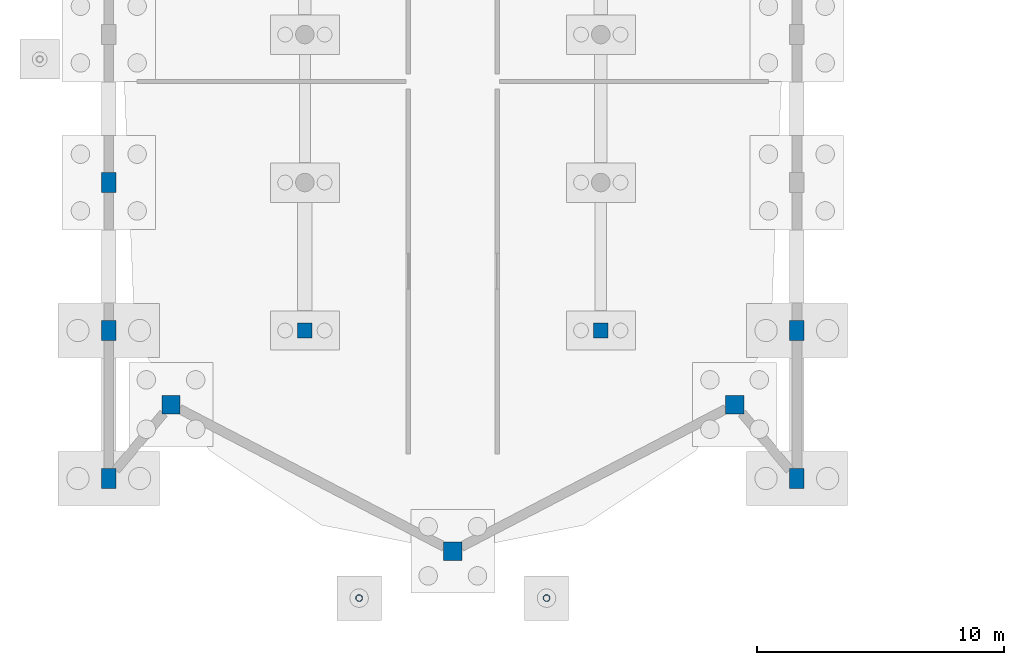
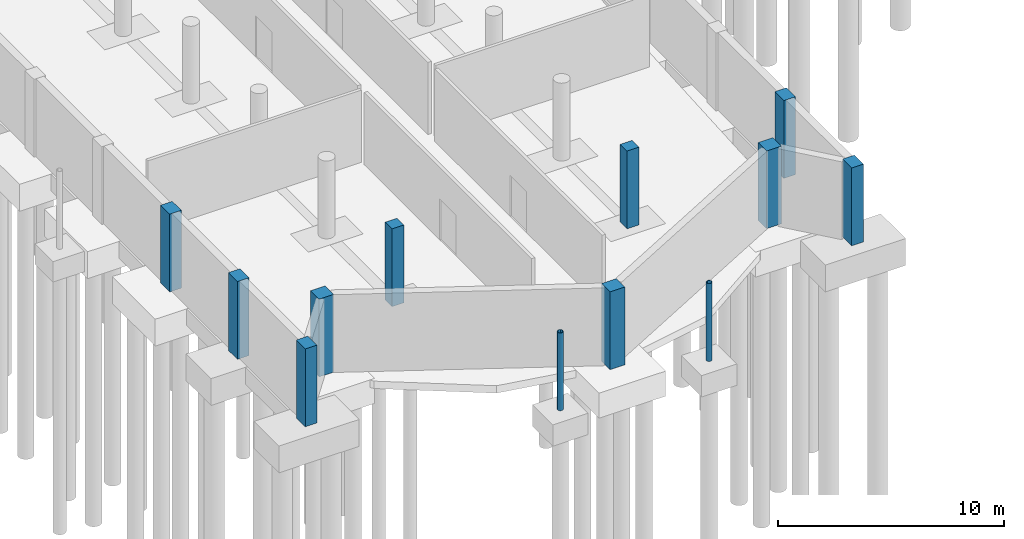
# One storey, part 6 of 43: 12 columns.
"""IFC4 building model written with IfcOpenShell, lengths in metres."""

import ifcopenshell
import ifcopenshell.guid

model = None  # the IFC model being written
_history = None  # IfcOwnerHistory: only IFC2X3 demands one
_inside = {}  # id of a spatial element -> (the spatial element, [elements in it])
_under = {}  # id of a project, library or spatial element -> (it, [spatial elements below it])
_declared = {}  # id of a project -> (the project, [libraries it declares])
_typed = {}  # id of a type object -> (the type object, [elements of that type])
_made_of = {}  # id of a material, layer set ... -> (it, [elements and type objects made of it])


def new_model(schema):
    """Start an empty IFC model of exactly this schema.

    Asked for "IFC4X3", IfcOpenShell would pick the latest addendum, in which some entities
    have other attributes; the version numbers below select the first issue.
    IFC2X3 requires an IfcOwnerHistory on every rooted entity: one is made here for all.
    """
    global model, _history
    if schema == "IFC4X3":
        model = ifcopenshell.file(schema_version=(4, 3, 0, 0))
    else:
        model = ifcopenshell.file(schema=schema)
    _inside.clear()
    _under.clear()
    _declared.clear()
    _typed.clear()
    _made_of.clear()
    _history = None
    if model.schema == "IFC2X3":
        org = make("IfcOrganization", Name="unknown")
        user = make(
            "IfcPersonAndOrganization",
            ThePerson=make("IfcPerson", FamilyName="unknown"),
            TheOrganization=org,
        )
        app = make(
            "IfcApplication",
            ApplicationDeveloper=org,
            Version="unknown",
            ApplicationFullName="unknown",
            ApplicationIdentifier="unknown",
        )
        _history = make(
            "IfcOwnerHistory",
            OwningUser=user,
            OwningApplication=app,
            ChangeAction="ADDED",
            CreationDate=0,
        )
    return model


def make(cls, **values):
    """One entity of the class cls with the attributes given. An attribute that is None is left unset."""
    return model.create_entity(
        cls, **{name: value for name, value in values.items() if value is not None}
    )


def rooted(cls, **values):
    """An entity with a GlobalId (a new one), such as an element, a storey or a relation."""
    return make(cls, GlobalId=ifcopenshell.guid.new(), OwnerHistory=_history, **values)


def si_unit(unit_type, name, prefix=None):
    """IfcSIUnit, for example si_unit("LENGTHUNIT", "METRE", prefix="MILLI")."""
    return make("IfcSIUnit", UnitType=unit_type, Prefix=prefix, Name=name)


def assignment(units):
    """IfcUnitAssignment: the units of a project."""
    return None if units is None else make("IfcUnitAssignment", Units=units)


def point(xyz):
    """IfcCartesianPoint."""
    return None if xyz is None else make("IfcCartesianPoint", Coordinates=xyz)


def direction(xyz):
    """IfcDirection."""
    return None if xyz is None else make("IfcDirection", DirectionRatios=xyz)


def frame(location, z_axis=None, x_axis=None):
    """IfcAxis2Placement3D, a coordinate frame: its origin and axes. An axis left out is left unset."""
    return make(
        "IfcAxis2Placement3D",
        Location=point(location),
        Axis=direction(z_axis),
        RefDirection=direction(x_axis),
    )


def frame_2d(location, x_axis=None):
    """IfcAxis2Placement2D, a coordinate frame in the plane: its origin and x axis."""
    return make(
        "IfcAxis2Placement2D", Location=point(location), RefDirection=direction(x_axis)
    )


def origin():
    """The frame at (0, 0, 0) with its axes left unset."""
    return frame((0.0, 0.0, 0.0))


def origin_2d():
    """The frame at (0, 0) in the plane with its x axis left unset."""
    return frame_2d((0.0, 0.0))


def place(relative_to, where):
    """IfcLocalPlacement: puts the frame where relative to a parent placement (None: the world)."""
    return make(
        "IfcLocalPlacement", PlacementRelTo=relative_to, RelativePlacement=where
    )


def context(
    kind, dimensions, precision=None, world=None, true_north=None, identifier=None
):
    """IfcGeometricRepresentationContext, for example the 3D "Model" context."""
    return make(
        "IfcGeometricRepresentationContext",
        ContextIdentifier=identifier,
        ContextType=kind,
        CoordinateSpaceDimension=dimensions,
        Precision=precision,
        WorldCoordinateSystem=world,
        TrueNorth=true_north,
    )


def subcontext(parent, identifier, kind, view, scale=None):
    """IfcGeometricRepresentationSubContext, for example "Body" below "Model"."""
    return make(
        "IfcGeometricRepresentationSubContext",
        ContextIdentifier=identifier,
        ContextType=kind,
        ParentContext=parent,
        TargetScale=scale,
        TargetView=view,
    )


def project(units=None, contexts=None):
    """IfcProject with its units and contexts."""
    return rooted(
        "IfcProject",
        Name="project",
        RepresentationContexts=contexts,
        UnitsInContext=assignment(units),
    )


def spatial(cls, under=None, at=None, **own):
    """A site, building, storey or space (cls), placed at a placement, below another one or the project."""
    s = rooted(cls, ObjectPlacement=at, **own)
    if under is not None:
        _under.setdefault(under.id(), (under, []))[1].append(s)
    return s


def profile(cls, at=None, kind="AREA", **sizes):
    """A parametric profile (cls). Its sizes go by their IFC names, for example OverallWidth=200.0."""
    return make(cls, ProfileType=kind, Position=at, **sizes)


def rectangle(**sizes):
    """IfcRectangleProfileDef."""
    return profile("IfcRectangleProfileDef", **sizes)


def hollow_circle(**sizes):
    """IfcCircleHollowProfileDef."""
    return profile("IfcCircleHollowProfileDef", **sizes)


def extrude(swept, where, along, depth):
    """IfcExtrudedAreaSolid: the profile swept, set in the frame where, extruded along a direction by depth."""
    return make(
        "IfcExtrudedAreaSolid",
        SweptArea=swept,
        Position=where,
        ExtrudedDirection=direction(along),
        Depth=depth,
    )


def shape(context_of_items, identifier, shape_type, items):
    """IfcShapeRepresentation: the items that make up one representation, for example the "Body"."""
    return make(
        "IfcShapeRepresentation",
        ContextOfItems=context_of_items,
        RepresentationIdentifier=identifier,
        RepresentationType=shape_type,
        Items=items,
    )


def material(Name=None, Category=None):
    """IfcMaterial."""
    return make("IfcMaterial", Name=Name, Category=Category)


def material_profile(
    of_material, cross_section, Name=None, Category=None, Priority=None
):
    """IfcMaterialProfile: a cross section and its material."""
    return make(
        "IfcMaterialProfile",
        Name=Name,
        Material=of_material,
        Profile=cross_section,
        Priority=Priority,
        Category=Category,
    )


def profile_set(profiles, Name=None, composite=None):
    """IfcMaterialProfileSet."""
    return make(
        "IfcMaterialProfileSet",
        Name=Name,
        MaterialProfiles=profiles,
        CompositeProfile=composite,
    )


def made_of(thing, what):
    """Note that an element or type object is made of a material, layer set ...; save() writes the relation."""
    if what is not None:
        _made_of.setdefault(what.id(), (what, []))[1].append(thing)
    return thing


def type_object(cls, material=None, **own):
    """A type object (cls), such as IfcWallType, which elements share."""
    return made_of(rooted(cls, **own), material)


def element(
    cls,
    number,
    at=None,
    inside=None,
    cuts=None,
    type_object=None,
    material=None,
    context=None,
    identifier="Body",
    shape_type=None,
    held_by="IfcProductDefinitionShape",
    body=None,
    shapes=None,
    **own,
):
    """One element of the class cls, such as IfcWall. Its Tag is "e" and its number.

    at: its placement. inside: the storey or other place that contains it. cuts: it is an
    opening in that element (IfcRelVoidsElement). A single representation is given by context,
    identifier, shape_type and body (its items); several are given by shapes. held_by: the class
    of the entity that holds the representations. save() writes the other relations.
    """
    e = rooted(cls, Tag="e%d" % number, ObjectPlacement=at, **own)
    if body is not None:
        shapes = [shape(context, identifier, shape_type, body)]
    if shapes is not None:
        e.Representation = make(held_by, Representations=shapes)
    if inside is not None:
        _inside.setdefault(inside.id(), (inside, []))[1].append(e)
    if cuts is not None:
        rooted(
            "IfcRelVoidsElement", RelatingBuildingElement=cuts, RelatedOpeningElement=e
        )
    if type_object is not None:
        _typed.setdefault(type_object.id(), (type_object, []))[1].append(e)
    return made_of(e, material)


def aggregate(whole, parts):
    """IfcRelAggregates: a whole, such as a stair, and the parts it consists of."""
    return rooted("IfcRelAggregates", RelatingObject=whole, RelatedObjects=parts)


def save(model, path):
    """Write the relations noted so far, then the file.

    IfcRelAggregates (storeys below a building ...), IfcRelContainedInSpatialStructure (elements
    in a storey), IfcRelDefinesByType, IfcRelAssociatesMaterial and IfcRelDeclares: one each for
    every whole, place, type object, material and project.
    """
    for whole, parts in _under.values():
        aggregate(whole, parts)
    for where, things in _inside.values():
        rooted(
            "IfcRelContainedInSpatialStructure",
            RelatedElements=things,
            RelatingStructure=where,
        )
    for kind, things in _typed.values():
        rooted("IfcRelDefinesByType", RelatedObjects=things, RelatingType=kind)
    for what, things in _made_of.values():
        rooted("IfcRelAssociatesMaterial", RelatedObjects=things, RelatingMaterial=what)
    for by, libraries in _declared.values():
        rooted("IfcRelDeclares", RelatingContext=by, RelatedDefinitions=libraries)
    model.write(path)


model = new_model("IFC4")

# Units and contexts
model_context = context("Model", 3, precision=1e-05, world=origin(), true_north=direction((0.0, 1.0)))
body_context = subcontext(model_context, "Body", "Model", "MODEL_VIEW")
ifc_project = project(units=[si_unit("LENGTHUNIT", "METRE"), si_unit("AREAUNIT", "SQUARE_METRE"), si_unit("VOLUMEUNIT", "CUBIC_METRE"), si_unit("PLANEANGLEUNIT", "RADIAN"), si_unit("MASSUNIT", "GRAM", prefix="KILO")], contexts=[model_context])

# Site, building, storey
site_placement = place(None, origin())
site = spatial("IfcSite", under=ifc_project, at=site_placement, CompositionType="ELEMENT")
building_placement = place(site_placement, origin())
building = spatial("IfcBuilding", under=site, at=building_placement, Name="Vespera Passage Community Centre", CompositionType="ELEMENT")
storey_placement = place(building_placement, frame((0.0, 0.0, -4.199951171875)))
storey = spatial("IfcBuildingStorey", under=building, at=storey_placement, Name="B1", CompositionType="ELEMENT", Elevation=-4.199951171875)

# Columns
ifc_material_1 = material(Name="Steel ASTM A500 Grade C", Category="steel")
ifc_material_profile_1 = material_profile(ifc_material_1, hollow_circle(Radius=0.136474609375, WallThickness=0.01171875, at=origin_2d()), Name="CHS273X12.7")
ifc_profile_set_1 = profile_set([ifc_material_profile_1], Name="Steel ASTM A500 Grade C")
column_type_1 = type_object("IfcColumnType", Name="COL-CHS273E", PredefinedType="COLUMN", material=ifc_profile_set_1)
for number, where, z_axis, x_axis, name in (
    (1, (14.199951171875, 2.14990234375, 0.0), (0.0, 0.0, 1.0), (1.0, 0.0, 0.0), "B1 Column EC2-C01"),
    (2, (21.800048828125, 2.14990234375, 0.0), (0.0, 0.0, 1.0), (1.0, 0.0, 0.0), "B1 Column EC2-C02"),
):
    element("IfcColumn", number, at=place(storey_placement, frame(where, z_axis=z_axis, x_axis=x_axis)), inside=storey, type_object=column_type_1, Name=name, PredefinedType="COLUMN", context=body_context, shape_type="SweptSolid", body=[
        extrude(hollow_circle(Radius=0.136474609375, WallThickness=0.01171875, at=origin_2d()), origin(), (0.0, 0.0, 1.0), 4.199951171875),
    ])
ifc_material_2 = material(Name="Concrete f'c 45 MPa", Category="concrete")
ifc_material_profile_2 = material_profile(ifc_material_2, rectangle(XDim=0.60009765625, YDim=0.60009765625, at=origin_2d()), Name="RC600X600")
ifc_profile_set_2 = profile_set([ifc_material_profile_2], Name="Concrete f'c 45 MPa")
column_type_2 = type_object("IfcColumnType", Name="COL-RC600I", PredefinedType="COLUMN", material=ifc_profile_set_2)
for number, where, z_axis, x_axis, name in (
    (3, (12.0, 13.0, 0.0), (0.0, 0.0, 1.0), (1.0, 0.0, 0.0), "B1 Column V1-B1-11"),
    (4, (24.0, 13.0, 0.0), (0.0, 0.0, 1.0), (1.0, 0.0, 0.0), "B1 Column V1-B1-21"),
):
    element("IfcColumn", number, at=place(storey_placement, frame(where, z_axis=z_axis, x_axis=x_axis)), inside=storey, type_object=column_type_2, Name=name, PredefinedType="COLUMN", context=body_context, shape_type="SweptSolid", body=[
        extrude(rectangle(XDim=0.60009765625, YDim=0.60009765625, at=origin_2d()), origin(), (0.0, 0.0, 1.0), 4.199951171875),
    ])
ifc_material_3 = material(Name="Concrete f'c 45 MPa", Category="concrete")
ifc_material_profile_3 = material_profile(ifc_material_3, rectangle(XDim=0.75, YDim=0.75, at=origin_2d()), Name="RC750X750")
ifc_profile_set_3 = profile_set([ifc_material_profile_3], Name="Concrete f'c 45 MPa")
column_type_3 = type_object("IfcColumnType", Name="COL-RC750E", PredefinedType="COLUMN", material=ifc_profile_set_3)
for number, where, z_axis, x_axis, name in (
    (5, (6.57275390625, 9.99853515625, 0.0), (0.0, 0.0, 1.0), (1.0, 0.0, 0.0), "B1 Column V1-AS1"),
    (6, (18.0, 4.050048828125, 0.0), (0.0, 0.0, 1.0), (1.0, 0.0, 0.0), "B1 Column V1-AS2"),
    (7, (29.42724609375, 9.99853515625, 0.0), (0.0, 0.0, 1.0), (1.0, 0.0, 0.0), "B1 Column V1-AS3"),
):
    element("IfcColumn", number, at=place(storey_placement, frame(where, z_axis=z_axis, x_axis=x_axis)), inside=storey, type_object=column_type_3, Name=name, PredefinedType="COLUMN", context=body_context, shape_type="SweptSolid", body=[
        extrude(rectangle(XDim=0.75, YDim=0.75, at=origin_2d()), origin(), (0.0, 0.0, 1.0), 4.199951171875),
    ])
ifc_material_4 = material(Name="Concrete f'c 45 MPa", Category="concrete")
ifc_material_profile_4 = material_profile(ifc_material_4, rectangle(XDim=0.60009765625, YDim=0.800048828125, at=origin_2d()), Name="RC800X600")
ifc_profile_set_4 = profile_set([ifc_material_profile_4], Name="Concrete f'c 45 MPa")
column_type_4 = type_object("IfcColumnType", Name="COL-RC800X600E", PredefinedType="COLUMN", material=ifc_profile_set_4)
for number, where, z_axis, x_axis, name in (
    (8, (31.949951171875, 7.0, 0.0), (0.0, 0.0, 1.0), (1.0, 0.0, 0.0), "B1 Column V1-E1"),
    (9, (31.949951171875, 13.0, 0.0), (0.0, 0.0, 1.0), (1.0, 0.0, 0.0), "B1 Column V1-E2"),
    (10, (4.050048828125, 7.0, 0.0), (0.0, 0.0, 1.0), (1.0, 0.0, 0.0), "B1 Column V1-W1"),
    (11, (4.050048828125, 13.0, 0.0), (0.0, 0.0, 1.0), (1.0, 0.0, 0.0), "B1 Column V1-W2"),
    (12, (4.050048828125, 19.0, 0.0), (0.0, 0.0, 1.0), (1.0, 0.0, 0.0), "B1 Column V1-W3"),
):
    element("IfcColumn", number, at=place(storey_placement, frame(where, z_axis=z_axis, x_axis=x_axis)), inside=storey, type_object=column_type_4, Name=name, PredefinedType="COLUMN", context=body_context, shape_type="SweptSolid", body=[
        extrude(rectangle(XDim=0.60009765625, YDim=0.800048828125, at=origin_2d()), origin(), (0.0, 0.0, 1.0), 4.199951171875),
    ])

save(model, "model.ifc")
